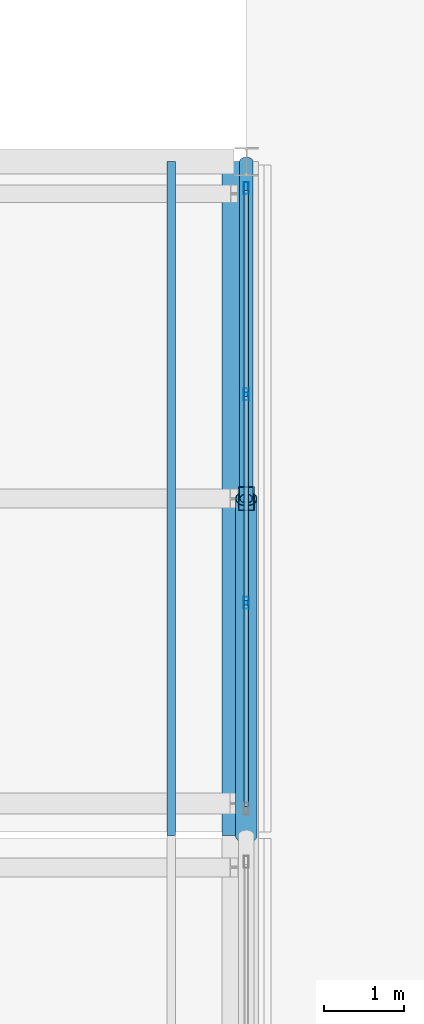
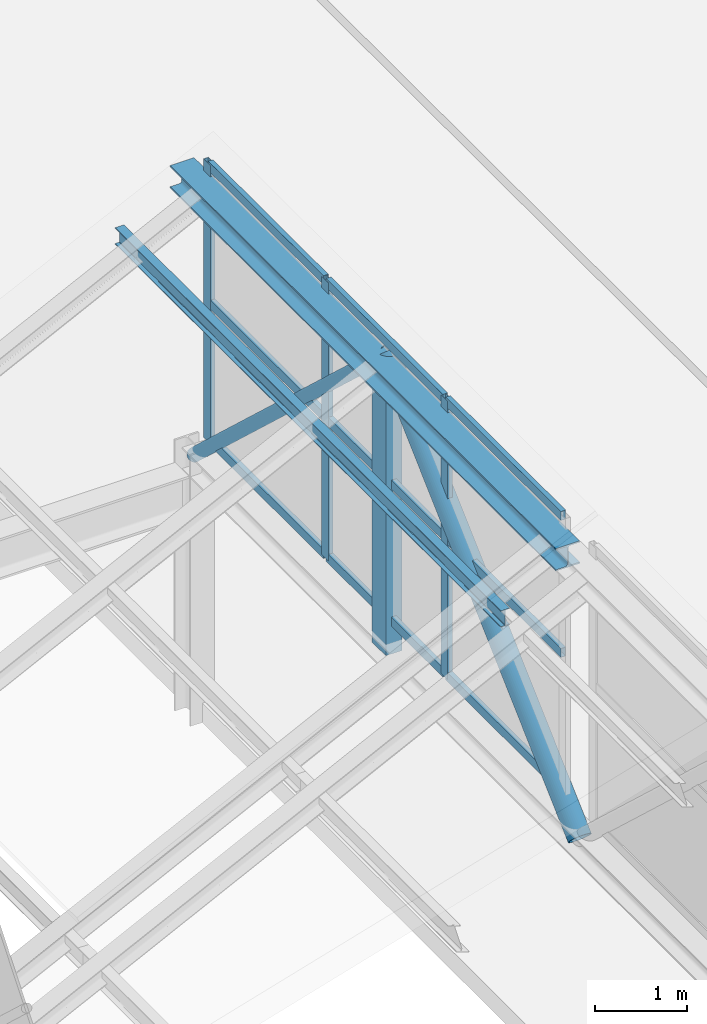
# One storey, part 50 of 101: 17 members, 1 element without a shape of its own.
"""IFC4 building model written with IfcOpenShell, lengths in metres."""

from ifc_helpers import new_model, si_unit, direction, frame, origin, origin_2d, place, context, subcontext, project, spatial, hollow_rectangle, hollow_circle, i_section, extrude, material, layer, layer_set, material_profile, profile_set, type_object, element, aggregate, save


model = new_model("IFC4")

# Units and contexts
model_context = context("Model", 3, precision=1e-05, world=origin(), true_north=direction((0.0, 1.0)))
body_context = subcontext(model_context, "Body", "Model", "MODEL_VIEW")
ifc_project = project(units=[si_unit("LENGTHUNIT", "METRE"), si_unit("AREAUNIT", "SQUARE_METRE"), si_unit("VOLUMEUNIT", "CUBIC_METRE"), si_unit("PLANEANGLEUNIT", "RADIAN"), si_unit("MASSUNIT", "GRAM", prefix="KILO")], contexts=[model_context])

# Site, building, storey
site_placement = place(None, origin())
site = spatial("IfcSite", under=ifc_project, at=site_placement, CompositionType="ELEMENT")
building_placement = place(site_placement, origin())
building = spatial("IfcBuilding", under=site, at=building_placement, Name="Zizhar Promenade General Hospital", CompositionType="ELEMENT")
storey_placement = place(building_placement, frame((0.0, 0.0, 14.39990234375)))
storey = spatial("IfcBuildingStorey", under=building, at=storey_placement, Name="L03", CompositionType="ELEMENT", Elevation=14.39990234375)

# Curtain wall, members
ifc_material_1 = material(Name="Anodised aluminium 6063-T6 and low-E glass", Category="aluminium")
ifc_layer = layer(ifc_material_1, 0.159912109375)
ifc_layer_set = layer_set([ifc_layer], Name="Anodised aluminium 6063-T6 and low-E glass")
curtain_wall_type = type_object("IfcCurtainWallType", Name="CW-SAW-NL3", PredefinedType="NOTDEFINED", material=ifc_layer_set)
curtain_wall_placement = place(storey_placement, origin())
curtain_wall = element("IfcCurtainWall", 1, at=curtain_wall_placement, inside=storey, type_object=curtain_wall_type, Name="Sawtooth Clerestory Light B7-S3", PredefinedType="NOTDEFINED")
ifc_material_2 = material(Name="Anodised aluminium 6063-T6", Category="aluminium")
ifc_material_profile_1 = material_profile(ifc_material_2, hollow_rectangle(XDim=0.06005859375, YDim=0.14990234375, WallThickness=0.00390625, at=origin_2d()))
ifc_profile_set_1 = profile_set([ifc_material_profile_1], Name="Anodised aluminium 6063-T6")
member_type_1 = type_object("IfcMemberType", Name="CWM-ALU-150x60", PredefinedType="MULLION", material=ifc_profile_set_1)
member_1_placement = place(storey_placement, frame((124.800048828125, 44.89990234375, 3.85009765625), z_axis=(0.0, 0.0, 1.0), x_axis=(-1.0, 0.0, 0.0)))
member_1 = element("IfcMember", 2, at=member_1_placement, type_object=member_type_1, Name="CW-05 mullion 2", PredefinedType="MULLION", context=body_context, shape_type="SweptSolid", body=[
    extrude(hollow_rectangle(XDim=0.06005859375, YDim=0.14990234375, WallThickness=0.00390625, at=origin_2d()), origin(), (0.0, 0.0, 1.0), 3.699951171875),
])
member_2_placement = place(storey_placement, frame((124.800048828125, 47.5, 3.85009765625), z_axis=(0.0, 0.0, 1.0), x_axis=(-1.0, 0.0, 0.0)))
member_2 = element("IfcMember", 3, at=member_2_placement, type_object=member_type_1, Name="CW-05 mullion 3", PredefinedType="MULLION", context=body_context, shape_type="SweptSolid", body=[
    extrude(hollow_rectangle(XDim=0.06005859375, YDim=0.14990234375, WallThickness=0.00390625, at=origin_2d()), origin(), (0.0, 0.0, 1.0), 3.699951171875),
])
member_3_placement = place(storey_placement, frame((124.800048828125, 50.070068359375, 3.85009765625), z_axis=(0.0, 0.0, 1.0), x_axis=(-1.0, 0.0, 0.0)))
member_3 = element("IfcMember", 4, at=member_3_placement, type_object=member_type_1, Name="CW-05 mullion 4", PredefinedType="MULLION", context=body_context, shape_type="SweptSolid", body=[
    extrude(hollow_rectangle(XDim=0.06005859375, YDim=0.14990234375, WallThickness=0.00390625, at=origin_2d()), origin(), (0.0, 0.0, 1.0), 3.699951171875),
])
ifc_material_3 = material(Name="Anodised aluminium 6063-T6", Category="aluminium")
ifc_material_profile_2 = material_profile(ifc_material_3, hollow_rectangle(XDim=0.06005859375, YDim=0.1201171875, WallThickness=0.00390625, at=origin_2d()))
ifc_profile_set_2 = profile_set([ifc_material_profile_2], Name="Anodised aluminium 6063-T6")
member_type_2 = type_object("IfcMemberType", Name="CWT-ALU-120x60", PredefinedType="USERDEFINED", material=ifc_profile_set_2)
member_4_placement = place(storey_placement, frame((124.800048828125, 42.360107421875, 3.880126953125), z_axis=(0.0, 1.0, 0.0), x_axis=(-1.0, 0.0, 0.0)))
member_4 = element("IfcMember", 5, at=member_4_placement, type_object=member_type_2, Name="CW-05 transom 1.1", ObjectType="TRANSOM", PredefinedType="USERDEFINED", context=body_context, shape_type="SweptSolid", body=[
    extrude(hollow_rectangle(XDim=0.06005859375, YDim=0.1201171875, WallThickness=0.00390625, at=origin_2d()), origin(), (0.0, 0.0, 1.0), 2.510009765625),
])
member_5_placement = place(storey_placement, frame((124.800048828125, 42.360107421875, 5.7001953125), z_axis=(0.0, 1.0, 0.0), x_axis=(-1.0, 0.0, 0.0)))
member_5 = element("IfcMember", 6, at=member_5_placement, type_object=member_type_2, Name="CW-05 transom 1.2", ObjectType="TRANSOM", PredefinedType="USERDEFINED", context=body_context, shape_type="SweptSolid", body=[
    extrude(hollow_rectangle(XDim=0.06005859375, YDim=0.1201171875, WallThickness=0.00390625, at=origin_2d()), origin(), (0.0, 0.0, 1.0), 2.510009765625),
])
member_6_placement = place(storey_placement, frame((124.800048828125, 42.360107421875, 7.52001953125), z_axis=(0.0, 1.0, 0.0), x_axis=(-1.0, 0.0, 0.0)))
member_6 = element("IfcMember", 7, at=member_6_placement, type_object=member_type_2, Name="CW-05 transom 1.3", ObjectType="TRANSOM", PredefinedType="USERDEFINED", context=body_context, shape_type="SweptSolid", body=[
    extrude(hollow_rectangle(XDim=0.06005859375, YDim=0.1201171875, WallThickness=0.00390625, at=origin_2d()), origin(), (0.0, 0.0, 1.0), 2.510009765625),
])
member_7_placement = place(storey_placement, frame((124.800048828125, 44.929931640625, 3.880126953125), z_axis=(0.0, 1.0, 0.0), x_axis=(-1.0, 0.0, 0.0)))
member_7 = element("IfcMember", 8, at=member_7_placement, type_object=member_type_2, Name="CW-05 transom 2.1", ObjectType="TRANSOM", PredefinedType="USERDEFINED", context=body_context, shape_type="SweptSolid", body=[
    extrude(hollow_rectangle(XDim=0.06005859375, YDim=0.1201171875, WallThickness=0.00390625, at=origin_2d()), origin(), (0.0, 0.0, 1.0), 2.5400390625),
])
member_8_placement = place(storey_placement, frame((124.800048828125, 44.929931640625, 5.7001953125), z_axis=(0.0, 1.0, 0.0), x_axis=(-1.0, 0.0, 0.0)))
member_8 = element("IfcMember", 9, at=member_8_placement, type_object=member_type_2, Name="CW-05 transom 2.2", ObjectType="TRANSOM", PredefinedType="USERDEFINED", context=body_context, shape_type="SweptSolid", body=[
    extrude(hollow_rectangle(XDim=0.06005859375, YDim=0.1201171875, WallThickness=0.00390625, at=origin_2d()), origin(), (0.0, 0.0, 1.0), 2.5400390625),
])
member_9_placement = place(storey_placement, frame((124.800048828125, 44.929931640625, 7.52001953125), z_axis=(0.0, 1.0, 0.0), x_axis=(-1.0, 0.0, 0.0)))
member_9 = element("IfcMember", 10, at=member_9_placement, type_object=member_type_2, Name="CW-05 transom 2.3", ObjectType="TRANSOM", PredefinedType="USERDEFINED", context=body_context, shape_type="SweptSolid", body=[
    extrude(hollow_rectangle(XDim=0.06005859375, YDim=0.1201171875, WallThickness=0.00390625, at=origin_2d()), origin(), (0.0, 0.0, 1.0), 2.5400390625),
])
member_10_placement = place(storey_placement, frame((124.800048828125, 47.530029296875, 3.880126953125), z_axis=(0.0, 1.0, 0.0), x_axis=(-1.0, 0.0, 0.0)))
member_10 = element("IfcMember", 11, at=member_10_placement, type_object=member_type_2, Name="CW-05 transom 3.1", ObjectType="TRANSOM", PredefinedType="USERDEFINED", context=body_context, shape_type="SweptSolid", body=[
    extrude(hollow_rectangle(XDim=0.06005859375, YDim=0.1201171875, WallThickness=0.00390625, at=origin_2d()), origin(), (0.0, 0.0, 1.0), 2.510009765625),
])
member_11_placement = place(storey_placement, frame((124.800048828125, 47.530029296875, 5.7001953125), z_axis=(0.0, 1.0, 0.0), x_axis=(-1.0, 0.0, 0.0)))
member_11 = element("IfcMember", 12, at=member_11_placement, type_object=member_type_2, Name="CW-05 transom 3.2", ObjectType="TRANSOM", PredefinedType="USERDEFINED", context=body_context, shape_type="SweptSolid", body=[
    extrude(hollow_rectangle(XDim=0.06005859375, YDim=0.1201171875, WallThickness=0.00390625, at=origin_2d()), origin(), (0.0, 0.0, 1.0), 2.510009765625),
])
member_12_placement = place(storey_placement, frame((124.800048828125, 47.530029296875, 7.52001953125), z_axis=(0.0, 1.0, 0.0), x_axis=(-1.0, 0.0, 0.0)))
member_12 = element("IfcMember", 13, at=member_12_placement, type_object=member_type_2, Name="CW-05 transom 3.3", ObjectType="TRANSOM", PredefinedType="USERDEFINED", context=body_context, shape_type="SweptSolid", body=[
    extrude(hollow_rectangle(XDim=0.06005859375, YDim=0.1201171875, WallThickness=0.00390625, at=origin_2d()), origin(), (0.0, 0.0, 1.0), 2.510009765625),
])
aggregate(curtain_wall, [member_1, member_2, member_3, member_4, member_5, member_6, member_7, member_8, member_9, member_10, member_11, member_12])

# Members
ifc_material_4 = material(Name="Steel S355", Category="steel")
ifc_material_profile_3 = material_profile(ifc_material_4, i_section(OverallWidth=0.300048828125, OverallDepth=0.300048828125, WebThickness=0.010986328125, FlangeThickness=0.01904296875, FilletRadius=0.027099609375, at=origin_2d()))
ifc_profile_set_3 = profile_set([ifc_material_profile_3], Name="Steel S355")
member_type_3 = type_object("IfcMemberType", Name="MEM-CHORD-HEB300", PredefinedType="CHORD", material=ifc_profile_set_3)
member_13_placement = place(storey_placement, frame((124.64990234375, 42.0, 7.25), z_axis=(0.0, 1.0, 0.0), x_axis=(-1.0, 0.0, 0.0)))
element("IfcMember", 14, at=member_13_placement, inside=storey, type_object=member_type_3, Name="Sawtooth Bay 7 Ridge Chord 3", PredefinedType="CHORD", context=body_context, shape_type="SweptSolid", body=[
    extrude(i_section(OverallWidth=0.300048828125, OverallDepth=0.300048828125, WebThickness=0.010986328125, FlangeThickness=0.01904296875, FilletRadius=0.027099609375, at=origin_2d()), origin(), (0.0, 0.0, 1.0), 8.39990234375),
])
ifc_material_5 = material(Name="Steel S355", Category="steel")
ifc_material_profile_4 = material_profile(ifc_material_5, hollow_circle(Radius=0.084228515625, WallThickness=0.008056640625, at=origin_2d()))
ifc_profile_set_4 = profile_set([ifc_material_profile_4], Name="Steel S355")
member_type_4 = type_object("IfcMemberType", Name="MEM-DIAG-CHS168", PredefinedType="BRACE", material=ifc_profile_set_4)
member_14_placement = place(storey_placement, frame((124.800048828125, 50.39990234375, 3.4501953125), z_axis=(0.0, -0.732798043082, 0.680446197767), x_axis=(1.0, 0.0, 0.0)))
element("IfcMember", 15, at=member_14_placement, inside=storey, type_object=member_type_4, Name="Sawtooth Truss Frame 8 Diagonal B3", PredefinedType="BRACE", context=body_context, shape_type="SweptSolid", body=[
    extrude(hollow_circle(Radius=0.084228515625, WallThickness=0.008056640625, at=origin_2d()), origin(), (0.0, 0.0, 1.0), 5.7314453125),
])
ifc_material_6 = material(Name="Steel S355", Category="steel")
ifc_material_profile_5 = material_profile(ifc_material_6, hollow_circle(Radius=0.136474609375, WallThickness=0.010009765625, at=origin_2d()))
ifc_profile_set_5 = profile_set([ifc_material_profile_5], Name="Steel S355")
member_type_5 = type_object("IfcMemberType", Name="MEM-DIAG-CHS273", PredefinedType="BRACE", material=ifc_profile_set_5)
member_15_placement = place(storey_placement, frame((124.800048828125, 42.0, 3.4501953125), z_axis=(0.0, 0.732798043082, 0.680446197767), x_axis=(-1.0, 0.0, 0.0)))
element("IfcMember", 16, at=member_15_placement, inside=storey, type_object=member_type_5, Name="Sawtooth Truss Frame 8 Diagonal A3", PredefinedType="BRACE", context=body_context, shape_type="SweptSolid", body=[
    extrude(hollow_circle(Radius=0.136474609375, WallThickness=0.010009765625, at=origin_2d()), origin(), (0.0, 0.0, 1.0), 5.7314453125),
])
ifc_material_7 = material(Name="Steel S355", Category="steel")
ifc_material_profile_6 = material_profile(ifc_material_7, i_section(OverallWidth=0.110107421875, OverallDepth=0.219970703125, WebThickness=0.005859375, FlangeThickness=0.00927734375, FilletRadius=0.011962890625, at=origin_2d()))
ifc_profile_set_6 = profile_set([ifc_material_profile_6], Name="Steel S355")
member_type_6 = type_object("IfcMemberType", Name="MEM-PURL-IPE220", PredefinedType="PURLIN", material=ifc_profile_set_6)
member_16_placement = place(storey_placement, frame((123.864013671875, 42.0, 6.705078125), z_axis=(0.0, 1.0, 0.0), x_axis=(-1.0, 0.0, 0.0)))
element("IfcMember", 17, at=member_16_placement, inside=storey, type_object=member_type_6, Name="Sawtooth Bay 7 Purlin 3-3", PredefinedType="PURLIN", context=body_context, shape_type="SweptSolid", body=[
    extrude(i_section(OverallWidth=0.110107421875, OverallDepth=0.219970703125, WebThickness=0.005859375, FlangeThickness=0.00927734375, FilletRadius=0.011962890625, at=origin_2d()), origin(), (0.0, 0.0, 1.0), 8.39990234375),
])
ifc_material_8 = material(Name="Steel S355", Category="steel")
ifc_material_profile_7 = material_profile(ifc_material_8, hollow_rectangle(XDim=0.199951171875, YDim=0.300048828125, WallThickness=0.010009765625, at=origin_2d()))
ifc_profile_set_7 = profile_set([ifc_material_profile_7], Name="Steel S355")
member_type_7 = type_object("IfcMemberType", Name="MEM-STRUT-RHS300", PredefinedType="STRUT", material=ifc_profile_set_7)
member_17_placement = place(storey_placement, frame((124.800048828125, 46.199951171875, 3.4501953125), z_axis=(0.0, 0.0, 1.0), x_axis=(1.0, 0.0, 0.0)))
element("IfcMember", 18, at=member_17_placement, inside=storey, type_object=member_type_7, Name="Sawtooth Truss Frame 8 Vertical Post 3", PredefinedType="STRUT", context=body_context, shape_type="SweptSolid", body=[
    extrude(hollow_rectangle(XDim=0.199951171875, YDim=0.300048828125, WallThickness=0.010009765625, at=origin_2d()), origin(), (0.0, 0.0, 1.0), 3.89990234375),
])

save(model, "model.ifc")
